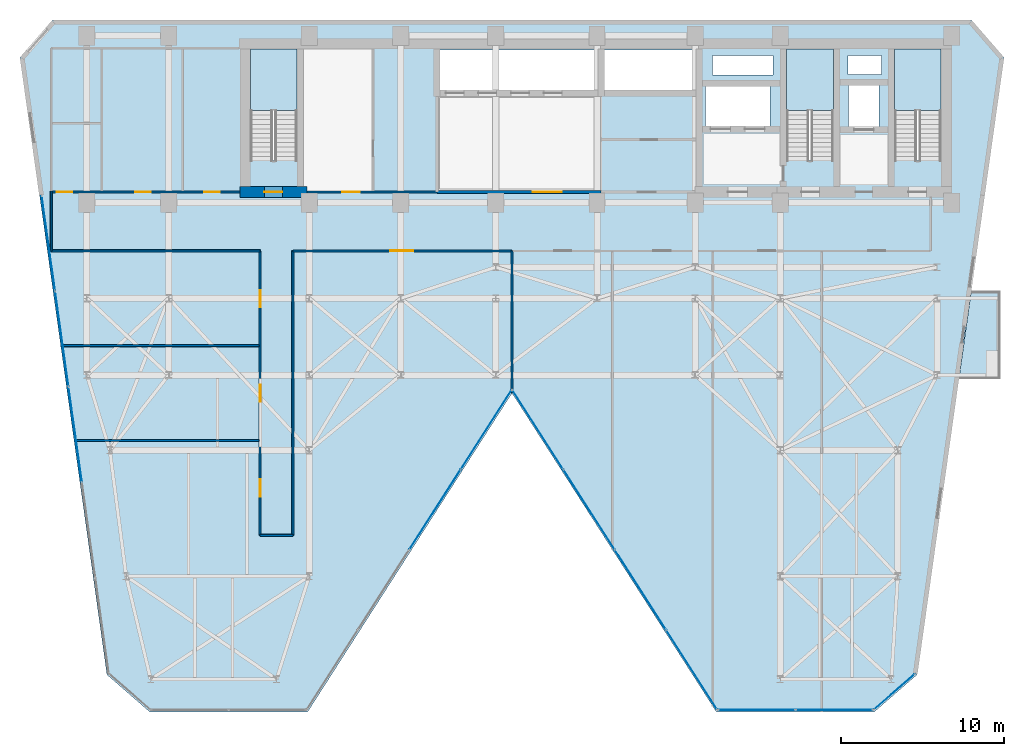
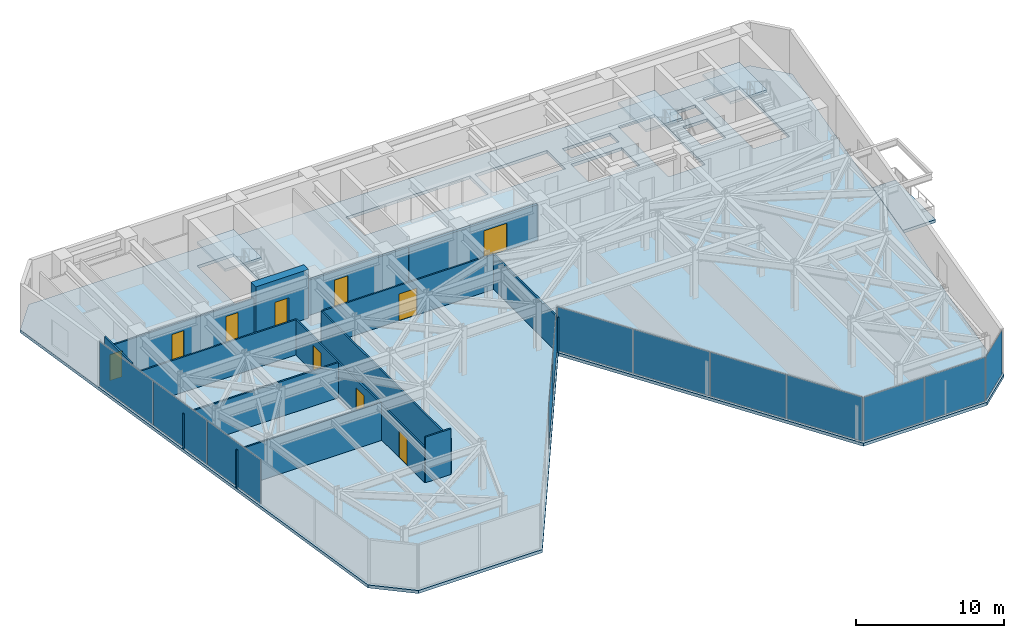
# One storey, part 21 of 26: 13 walls, 12 plates, 10 doors, 5 slabs, 10 openings, 8 elements without a shape of their own.
"""IFC4 building model written with IfcOpenShell, lengths in metres."""

from ifc_helpers import new_model, si_unit, direction, frame, frame_2d, origin, origin_2d, place, context, subcontext, project, spatial, polyline, rectangle, outline, extrude, material, layer, layer_set, type_object, element, fill, aggregate, save


model = new_model("IFC4")

# Units and contexts
model_context = context("Model", 3, precision=1e-05, world=origin(), true_north=direction((0.0, 1.0)))
body_context = subcontext(model_context, "Body", "Model", "MODEL_VIEW")
ifc_project = project(units=[si_unit("LENGTHUNIT", "METRE"), si_unit("AREAUNIT", "SQUARE_METRE"), si_unit("VOLUMEUNIT", "CUBIC_METRE"), si_unit("PLANEANGLEUNIT", "RADIAN"), si_unit("MASSUNIT", "GRAM", prefix="KILO")], contexts=[model_context])

# Site, building, storey
site_placement = place(None, origin())
site = spatial("IfcSite", under=ifc_project, at=site_placement, CompositionType="ELEMENT")
building_placement = place(site_placement, origin())
building = spatial("IfcBuilding", under=site, at=building_placement, Name="Kravanh Interchange Tower", CompositionType="ELEMENT")
storey_placement = place(building_placement, frame((0.0, 0.0, 136.0)))
storey = spatial("IfcBuildingStorey", under=building, at=storey_placement, Name="L32", CompositionType="ELEMENT", Elevation=136.0)

# Slab
ifc_material_1 = material(Name="Concrete C50/60", Category="concrete")
ifc_layer_1 = layer(ifc_material_1, 0.25)
ifc_layer_set_1 = layer_set([ifc_layer_1], Name="Composite Floor Slab Concrete C50/60 250mm")
slab_type_1 = type_object("IfcSlabType", Name="Composite Floor Slab Concrete C50/60 250mm", PredefinedType="FLOOR", material=ifc_layer_set_1)
slab_1_placement = place(storey_placement, frame((0.0, 0.0, -0.25)))
element("IfcSlab", 1, at=slab_1_placement, inside=storey, type_object=slab_type_1, Name="L32 Structural Floor Slab", PredefinedType="FLOOR", context=body_context, shape_type="SweptSolid", body=[
    extrude(outline(polyline([(14.82470703125, 8.4775390625), (17.44482421875, 6.199951171875), (27.10009765625, 6.199951171875), (39.60009765625, 25.699951171875), (52.10009765625, 6.199951171875), (61.755126953125, 6.199951171875), (64.375244140625, 8.4775390625), (69.679931640625, 46.222412109375), (67.699951171875, 48.5), (11.5, 48.5), (9.52001953125, 46.222412109375), (14.82470703125, 8.4775390625)]), holes=[polyline([(65.85009765625, 39.925048828125), (65.85009765625, 46.75), (63.0, 46.75), (63.0, 39.925048828125), (65.85009765625, 39.925048828125)]), polyline([(59.25, 39.925048828125), (59.25, 46.75), (56.39990234375, 46.75), (56.39990234375, 39.925048828125), (59.25, 39.925048828125)]), polyline([(26.449951171875, 39.925048828125), (26.449951171875, 46.75), (23.60009765625, 46.75), (23.60009765625, 39.925048828125), (26.449951171875, 39.925048828125)]), polyline([(35.179931640625, 44.219970703125), (44.840087890625, 44.219970703125), (44.840087890625, 46.699951171875), (35.179931640625, 46.699951171875), (35.179931640625, 44.219970703125)]), polyline([(45.239990234375, 44.219970703125), (50.840087890625, 44.219970703125), (50.840087890625, 46.699951171875), (45.239990234375, 46.699951171875), (45.239990234375, 44.219970703125)]), polyline([(51.419921875, 42.02001953125), (55.3798828125, 42.02001953125), (55.3798828125, 44.47998046875), (51.419921875, 44.47998046875), (51.419921875, 42.02001953125)]), polyline([(60.179931640625, 41.97998046875), (62.06005859375, 41.97998046875), (62.06005859375, 44.52001953125), (60.179931640625, 44.52001953125), (60.179931640625, 41.97998046875)]), polyline([(60.14990234375, 45.199951171875), (62.199951171875, 45.199951171875), (62.199951171875, 46.35009765625), (60.14990234375, 46.35009765625), (60.14990234375, 45.199951171875)]), polyline([(51.85009765625, 45.14990234375), (55.550048828125, 45.14990234375), (55.550048828125, 46.35009765625), (51.85009765625, 46.35009765625), (51.85009765625, 45.14990234375)])]), origin(), (0.0, 0.0, 1.0), 0.25),
])

# Stair, slab
ifc_material_2 = material(Name="Concrete C50/60", Category="concrete")
stair_type = type_object("IfcStairType", Name="Core Fire Exit Dogleg Stair Concrete C50/60", PredefinedType="HALF_TURN_STAIR", material=ifc_material_2)
stair_1_placement = place(storey_placement, origin())
stair_1 = element("IfcStair", 2, at=stair_1_placement, inside=storey, type_object=stair_type, Name="L32 Exit Stair ST1", PredefinedType="HALF_TURN_STAIR")
ifc_material_3 = material(Name="Concrete C50/60", Category="concrete")
ifc_layer_2 = layer(ifc_material_3, 0.199951171875)
ifc_layer_set_2 = layer_set([ifc_layer_2], Name="Concrete C50/60 Stair Half-Landing Slab 200mm")
slab_type_2 = type_object("IfcSlabType", Name="Concrete C50/60 Stair Half-Landing Slab 200mm", PredefinedType="LANDING", material=ifc_layer_set_2)
slab_2_placement = place(storey_placement, frame((0.0, 0.0, 1.800048828125)))
slab_2 = element("IfcSlab", 3, at=slab_2_placement, type_object=slab_type_2, Name="ST1 landing 1", PredefinedType="LANDING", context=body_context, shape_type="SweptSolid", body=[
    extrude(outline(polyline([(65.85009765625, 42.97998046875), (65.85009765625, 46.75), (63.0, 46.75), (63.0, 42.97998046875), (65.85009765625, 42.97998046875)])), origin(), (0.0, 0.0, 1.0), 0.199951171875),
])
aggregate(stair_1, [slab_2])

stair_2_placement = place(storey_placement, origin())
stair_2 = element("IfcStair", 4, at=stair_2_placement, inside=storey, type_object=stair_type, Name="L32 Exit Stair ST2", PredefinedType="HALF_TURN_STAIR")
slab_3_placement = place(storey_placement, frame((0.0, 0.0, 1.800048828125)))
slab_3 = element("IfcSlab", 5, at=slab_3_placement, type_object=slab_type_2, Name="ST2 landing 1", PredefinedType="LANDING", context=body_context, shape_type="SweptSolid", body=[
    extrude(outline(polyline([(59.25, 42.97998046875), (59.25, 46.75), (56.39990234375, 46.75), (56.39990234375, 42.97998046875), (59.25, 42.97998046875)])), origin(), (0.0, 0.0, 1.0), 0.199951171875),
])
aggregate(stair_2, [slab_3])

stair_3_placement = place(storey_placement, origin())
stair_3 = element("IfcStair", 6, at=stair_3_placement, inside=storey, type_object=stair_type, Name="L32 Exit Stair ST3", PredefinedType="HALF_TURN_STAIR")
slab_4_placement = place(storey_placement, frame((0.0, 0.0, 1.800048828125)))
slab_4 = element("IfcSlab", 7, at=slab_4_placement, type_object=slab_type_2, Name="ST3 landing 1", PredefinedType="LANDING", context=body_context, shape_type="SweptSolid", body=[
    extrude(outline(polyline([(26.449951171875, 42.97998046875), (26.449951171875, 46.75), (23.60009765625, 46.75), (23.60009765625, 42.97998046875), (26.449951171875, 42.97998046875)])), origin(), (0.0, 0.0, 1.0), 0.199951171875),
])
aggregate(stair_3, [slab_4])

# Slab
ifc_material_4 = material(Name="Concrete C50/60", Category="concrete")
ifc_layer_3 = layer(ifc_material_4, 0.199951171875)
ifc_layer_set_3 = layer_set([ifc_layer_3], Name="Planted Tree Balcony Slab Concrete C50/60 200mm")
slab_type_3 = type_object("IfcSlabType", Name="Planted Tree Balcony Slab Concrete C50/60 200mm", PredefinedType="USERDEFINED", material=ifc_layer_set_3)
slab_5_placement = place(storey_placement, frame((0.0, 0.0, -0.25)))
element("IfcSlab", 8, at=slab_5_placement, inside=storey, type_object=slab_type_3, Name="L32 East Tree Planter Balcony Slab", ObjectType="BALCONY", PredefinedType="USERDEFINED", context=body_context, shape_type="SweptSolid", body=[
    extrude(outline(polyline([(69.489990234375, 31.949951171875), (69.489990234375, 26.550048828125), (66.930419921875, 26.550048828125), (67.689208984375, 31.949951171875), (69.489990234375, 31.949951171875)])), origin(), (0.0, 0.0, 1.0), 0.25),
])

# Curtain wall, plates
ifc_material_5 = material(Name="Anodised Bronze Aluminium", Category="aluminium")
ifc_layer_4 = layer(ifc_material_5, 0.179931640625)
ifc_layer_set_4 = layer_set([ifc_layer_4], Name="Unitised Curtain Wall System CW-Z2 Mid Office")
curtain_wall_type = type_object("IfcCurtainWallType", Name="Unitised Curtain Wall System CW-Z2 Mid Office", PredefinedType="NOTDEFINED", material=ifc_layer_set_4)
curtain_wall_1_placement = place(storey_placement, origin())
curtain_wall_1 = element("IfcCurtainWall", 9, at=curtain_wall_1_placement, inside=storey, type_object=curtain_wall_type, Name="L32 Unitised Curtain Wall CW-L32-01", PredefinedType="NOTDEFINED")
ifc_material_6 = material(Name="Low-E Laminated Architectural Glass", Category="glass")
ifc_layer_5 = layer(ifc_material_6, 0.02587890625)
ifc_layer_set_5 = layer_set([ifc_layer_5], Name="Solar-Control Double Glazing 26mm")
plate_type = type_object("IfcPlateType", Name="Solar-Control Double Glazing 26mm", PredefinedType="CURTAIN_PANEL", material=ifc_layer_set_5)
plate_1_placement = place(storey_placement, frame((12.881103515625, 23.16943359375, 0.06005859375), z_axis=(0.0, 0.0, 1.0), x_axis=(-0.13917285118, 0.990268103846, 0.0)))
plate_1 = element("IfcPlate", 10, at=plate_1_placement, type_object=plate_type, Name="CW-Z2 panel 3.1", PredefinedType="CURTAIN_PANEL", context=body_context, shape_type="SweptSolid", body=[
    extrude(rectangle(XDim=5.849853515625, YDim=0.02587890625, at=origin_2d()), origin(), (0.0, 0.0, 1.0), 3.6298828125),
])
plate_2_placement = place(storey_placement, frame((12.058837890625, 29.021728515625, 0.06005859375), z_axis=(0.0, 0.0, 1.0), x_axis=(-0.13917285118, 0.990268103846, 0.0)))
plate_2 = element("IfcPlate", 11, at=plate_2_placement, type_object=plate_type, Name="CW-Z2 panel 4.1", PredefinedType="CURTAIN_PANEL", context=body_context, shape_type="SweptSolid", body=[
    extrude(rectangle(XDim=5.849853515625, YDim=0.02587890625, at=origin_2d()), origin(), (0.0, 0.0, 1.0), 3.6298828125),
])
plate_3_placement = place(storey_placement, frame((11.23828125, 34.859130859375, 0.06005859375), z_axis=(0.0, 0.0, 1.0), x_axis=(-0.13917285118, 0.990268103846, 0.0)))
plate_3 = element("IfcPlate", 12, at=plate_3_placement, type_object=plate_type, Name="CW-Z2 panel 5.1", PredefinedType="CURTAIN_PANEL", context=body_context, shape_type="SweptSolid", body=[
    extrude(rectangle(XDim=5.81982421875, YDim=0.02587890625, at=origin_2d()), origin(), (0.0, 0.0, 1.0), 3.6298828125),
])
aggregate(curtain_wall_1, [plate_1, plate_2, plate_3])

# Curtain wall, plate
curtain_wall_2_placement = place(storey_placement, origin())
curtain_wall_2 = element("IfcCurtainWall", 13, at=curtain_wall_2_placement, inside=storey, type_object=curtain_wall_type, Name="L32 Unitised Curtain Wall CW-L32-02", PredefinedType="NOTDEFINED")
plate_4_placement = place(storey_placement, frame((62.986328125, 7.429443359375, 0.06005859375), z_axis=(0.0, 0.0, 1.0), x_axis=(-0.754719458103, -0.656047665617, 0.0)))
plate_4 = element("IfcPlate", 14, at=plate_4_placement, type_object=plate_type, Name="CW-Z2 panel 1.1", PredefinedType="CURTAIN_PANEL", context=body_context, shape_type="SweptSolid", body=[
    extrude(rectangle(XDim=3.261962890625, YDim=0.02587890625, at=origin_2d()), origin(), (0.0, 0.0, 1.0), 3.6298828125),
])
aggregate(curtain_wall_2, [plate_4])

# Curtain wall, plates
curtain_wall_3_placement = place(storey_placement, origin())
curtain_wall_3 = element("IfcCurtainWall", 15, at=curtain_wall_3_placement, inside=storey, type_object=curtain_wall_type, Name="L32 Unitised Curtain Wall CW-L32-03", PredefinedType="NOTDEFINED")
plate_5_placement = place(storey_placement, frame((59.30908203125, 6.320068359375, 0.06005859375), z_axis=(0.0, 0.0, 1.0), x_axis=(-1.0, 0.0, 0.0)))
plate_5 = element("IfcPlate", 16, at=plate_5_placement, type_object=plate_type, Name="CW-Z2 panel 1.1", PredefinedType="CURTAIN_PANEL", context=body_context, shape_type="SweptSolid", body=[
    extrude(rectangle(XDim=4.682373046875, YDim=0.02587890625, at=origin_2d()), origin(), (0.0, 0.0, 1.0), 3.6298828125),
])
plate_6_placement = place(storey_placement, frame((54.566650390625, 6.320068359375, 0.06005859375), z_axis=(0.0, 0.0, 1.0), x_axis=(-1.0, 0.0, 0.0)))
plate_6 = element("IfcPlate", 17, at=plate_6_placement, type_object=plate_type, Name="CW-Z2 panel 2.1", PredefinedType="CURTAIN_PANEL", context=body_context, shape_type="SweptSolid", body=[
    extrude(rectangle(XDim=4.682373046875, YDim=0.02587890625, at=origin_2d()), origin(), (0.0, 0.0, 1.0), 3.6298828125),
])
aggregate(curtain_wall_3, [plate_5, plate_6])

curtain_wall_4_placement = place(storey_placement, origin())
curtain_wall_4 = element("IfcCurtainWall", 18, at=curtain_wall_4_placement, inside=storey, type_object=curtain_wall_type, Name="L32 Unitised Curtain Wall CW-L32-04", PredefinedType="NOTDEFINED")
plate_7_placement = place(storey_placement, frame((50.5869140625, 8.782958984375, 0.06005859375), z_axis=(0.0, 0.0, 1.0), x_axis=(-0.539664865919, 0.841879939476, 0.0)))
plate_7 = element("IfcPlate", 19, at=plate_7_placement, type_object=plate_type, Name="CW-Z2 panel 1.1", PredefinedType="CURTAIN_PANEL", context=body_context, shape_type="SweptSolid", body=[
    extrude(rectangle(XDim=5.73095703125, YDim=0.02587890625, at=origin_2d()), origin(), (0.0, 0.0, 1.0), 3.6298828125),
])
plate_8_placement = place(storey_placement, frame((47.45361328125, 13.6708984375, 0.06005859375), z_axis=(0.0, 0.0, 1.0), x_axis=(-0.539664865919, 0.841879939476, 0.0)))
plate_8 = element("IfcPlate", 20, at=plate_8_placement, type_object=plate_type, Name="CW-Z2 panel 2.1", PredefinedType="CURTAIN_PANEL", context=body_context, shape_type="SweptSolid", body=[
    extrude(rectangle(XDim=5.760986328125, YDim=0.02587890625, at=origin_2d()), origin(), (0.0, 0.0, 1.0), 3.6298828125),
])
plate_9_placement = place(storey_placement, frame((44.31201171875, 18.571533203125, 0.06005859375), z_axis=(0.0, 0.0, 1.0), x_axis=(-0.539664865919, 0.841879939476, 0.0)))
plate_9 = element("IfcPlate", 21, at=plate_9_placement, type_object=plate_type, Name="CW-Z2 panel 3.1", PredefinedType="CURTAIN_PANEL", context=body_context, shape_type="SweptSolid", body=[
    extrude(rectangle(XDim=5.760986328125, YDim=0.02587890625, at=origin_2d()), origin(), (0.0, 0.0, 1.0), 3.6298828125),
])
plate_10_placement = place(storey_placement, frame((41.1787109375, 23.45947265625, 0.06005859375), z_axis=(0.0, 0.0, 1.0), x_axis=(-0.539664865919, 0.841879939476, 0.0)))
plate_10 = element("IfcPlate", 22, at=plate_10_placement, type_object=plate_type, Name="CW-Z2 panel 4.1", PredefinedType="CURTAIN_PANEL", context=body_context, shape_type="SweptSolid", body=[
    extrude(rectangle(XDim=5.73095703125, YDim=0.02587890625, at=origin_2d()), origin(), (0.0, 0.0, 1.0), 3.6298828125),
])
aggregate(curtain_wall_4, [plate_7, plate_8, plate_9, plate_10])

curtain_wall_5_placement = place(storey_placement, origin())
curtain_wall_5 = element("IfcCurtainWall", 23, at=curtain_wall_5_placement, inside=storey, type_object=curtain_wall_type, Name="L32 Unitised Curtain Wall CW-L32-05", PredefinedType="NOTDEFINED")
plate_11_placement = place(storey_placement, frame((38.021240234375, 23.45947265625, 0.06005859375), z_axis=(0.0, 0.0, 1.0), x_axis=(-0.539664865919, -0.841879939476, 0.0)))
plate_11 = element("IfcPlate", 24, at=plate_11_placement, type_object=plate_type, Name="CW-Z2 panel 1.1", PredefinedType="CURTAIN_PANEL", context=body_context, shape_type="SweptSolid", body=[
    extrude(rectangle(XDim=5.73095703125, YDim=0.02587890625, at=origin_2d()), origin(), (0.0, 0.0, 1.0), 3.6298828125),
])
plate_12_placement = place(storey_placement, frame((34.887939453125, 18.571533203125, 0.06005859375), z_axis=(0.0, 0.0, 1.0), x_axis=(-0.539664865919, -0.841879939476, 0.0)))
plate_12 = element("IfcPlate", 25, at=plate_12_placement, type_object=plate_type, Name="CW-Z2 panel 2.1", PredefinedType="CURTAIN_PANEL", context=body_context, shape_type="SweptSolid", body=[
    extrude(rectangle(XDim=5.760986328125, YDim=0.02587890625, at=origin_2d()), origin(), (0.0, 0.0, 1.0), 3.6298828125),
])
aggregate(curtain_wall_5, [plate_11, plate_12])

# Wall, openings, doors
ifc_material_7 = material(Name="Double Acoustic Gypsum Board and Mineral Wool")
ifc_layer_6 = layer(ifc_material_7, 0.1201171875)
ifc_layer_set_6 = layer_set([ifc_layer_6], Name="Acoustic Office Drywall Partition 120mm")
wall_type_1 = type_object("IfcWallType", Name="Acoustic Office Drywall Partition 120mm", PredefinedType="PARTITIONING", material=ifc_layer_set_6)
wall_1_placement = place(storey_placement, frame((11.419921875, 38.0, 0.0), z_axis=(0.0, 0.0, 1.0), x_axis=(1.0, 0.0, 0.0)))
wall_1 = element("IfcWall", 26, at=wall_1_placement, inside=storey, type_object=wall_type_1, Name="L32 Restroom Corridor Wall 7", PredefinedType="PARTITIONING", context=body_context, shape_type="SweptSolid", body=[
    extrude(rectangle(XDim=11.530029296875, YDim=0.1201171875, at=frame_2d((5.76513671875, 0.0))), origin(), (0.0, 0.0, 1.0), 2.89404296875),
])
opening_1_placement = place(wall_1_placement, frame((0.3427734375, 0.0, 0.0)))
opening_1 = element("IfcOpeningElement", 27, at=opening_1_placement, cuts=wall_1, Name="Opening D-95", PredefinedType="OPENING", context=body_context, shape_type="SweptSolid", body=[
    extrude(rectangle(XDim=0.949951171875, YDim=2.14990234375, at=frame_2d((0.47509765625, 1.074951171875))), frame((0.0, 0.070068359375, 0.0), z_axis=(0.0, -1.0, 0.0), x_axis=(1.0, 0.0, 0.0)), (0.0, 0.0, 1.0), 0.14013671875),
])
opening_2_placement = place(wall_1_placement, frame((5.130126953125, 0.0, 0.0)))
opening_2 = element("IfcOpeningElement", 28, at=opening_2_placement, cuts=wall_1, Name="Opening D-95", PredefinedType="OPENING", context=body_context, shape_type="SweptSolid", body=[
    extrude(rectangle(XDim=0.949951171875, YDim=2.14990234375, at=frame_2d((0.47509765625, 1.074951171875))), frame((0.0, 0.070068359375, 0.0), z_axis=(0.0, -1.0, 0.0), x_axis=(1.0, 0.0, 0.0)), (0.0, 0.0, 1.0), 0.14013671875),
])
opening_3_placement = place(wall_1_placement, frame((9.344970703125, 0.0, 0.0)))
opening_3 = element("IfcOpeningElement", 29, at=opening_3_placement, cuts=wall_1, Name="Opening D-95", PredefinedType="OPENING", context=body_context, shape_type="SweptSolid", body=[
    extrude(rectangle(XDim=0.949951171875, YDim=2.14990234375, at=frame_2d((0.47509765625, 1.074951171875))), frame((0.0, 0.070068359375, 0.0), z_axis=(0.0, -1.0, 0.0), x_axis=(1.0, 0.0, 0.0)), (0.0, 0.0, 1.0), 0.14013671875),
])
ifc_material_8 = material(Name="Laminate Solid-Core Timber", Category="wood")
door_type_1 = type_object("IfcDoorType", Name="Accessible Restroom Door 950x2150", OperationType="NOTDEFINED", PredefinedType="DOOR", material=ifc_material_8)
door_1_placement = place(opening_1_placement, origin())
door_1 = element("IfcDoor", 30, at=door_1_placement, inside=storey, type_object=door_type_1, Name="L32 Accessible WC Door", OperationType="SINGLE_SWING_RIGHT", OverallHeight=2.14990234375, OverallWidth=0.949951171875, PredefinedType="DOOR", context=body_context, shape_type="SweptSolid", body=[
    extrude(rectangle(XDim=0.949951171875, YDim=2.14990234375, at=frame_2d((0.47509765625, 1.074951171875))), frame((0.0, 0.02490234375, 0.0), z_axis=(0.0, -1.0, 0.0), x_axis=(1.0, 0.0, 0.0)), (0.0, 0.0, 1.0), 0.050048828125),
])
fill(opening_1, door_1)
door_2_placement = place(opening_2_placement, origin())
door_2 = element("IfcDoor", 31, at=door_2_placement, inside=storey, type_object=door_type_1, Name="L32 Female WC Door", OperationType="SINGLE_SWING_LEFT", OverallHeight=2.14990234375, OverallWidth=0.949951171875, PredefinedType="DOOR", context=body_context, shape_type="SweptSolid", body=[
    extrude(rectangle(XDim=0.949951171875, YDim=2.14990234375, at=frame_2d((0.47509765625, 1.074951171875))), frame((0.0, 0.02490234375, 0.0), z_axis=(0.0, -1.0, 0.0), x_axis=(1.0, 0.0, 0.0)), (0.0, 0.0, 1.0), 0.050048828125),
])
fill(opening_2, door_2)
door_3_placement = place(opening_3_placement, origin())
door_3 = element("IfcDoor", 32, at=door_3_placement, inside=storey, type_object=door_type_1, Name="L32 Male WC Door", OperationType="SINGLE_SWING_RIGHT", OverallHeight=2.14990234375, OverallWidth=0.949951171875, PredefinedType="DOOR", context=body_context, shape_type="SweptSolid", body=[
    extrude(rectangle(XDim=0.949951171875, YDim=2.14990234375, at=frame_2d((0.47509765625, 1.074951171875))), frame((0.0, 0.02490234375, 0.0), z_axis=(0.0, -1.0, 0.0), x_axis=(1.0, 0.0, 0.0)), (0.0, 0.0, 1.0), 0.050048828125),
])
fill(opening_3, door_3)

# Wall
wall_2_placement = place(storey_placement, frame((11.419921875, 34.39990234375, 0.0), z_axis=(0.0, 0.0, 1.0), x_axis=(1.0, 0.0, 0.0)))
element("IfcWall", 33, at=wall_2_placement, inside=storey, type_object=wall_type_1, Name="L32 Interior Partition 13", PredefinedType="PARTITIONING", context=body_context, shape_type="SweptSolid", body=[
    extrude(rectangle(XDim=12.780029296875, YDim=0.1201171875, at=frame_2d((6.39013671875, 0.0))), origin(), (0.0, 0.0, 1.0), 2.89404296875),
])

# Wall, opening, door
wall_3_placement = place(storey_placement, frame((26.199951171875, 34.39990234375, 0.0), z_axis=(0.0, 0.0, 1.0), x_axis=(1.0, 0.0, 0.0)))
wall_3 = element("IfcWall", 34, at=wall_3_placement, inside=storey, type_object=wall_type_1, Name="L32 Interior Partition 14", PredefinedType="PARTITIONING", context=body_context, shape_type="SweptSolid", body=[
    extrude(rectangle(XDim=13.400146484375, YDim=0.1201171875, at=frame_2d((6.7001953125, 0.0))), origin(), (0.0, 0.0, 1.0), 2.89404296875),
])
opening_4_placement = place(wall_3_placement, frame((5.959716796875, 0.0, 0.0)))
opening_4 = element("IfcOpeningElement", 35, at=opening_4_placement, cuts=wall_3, Name="Opening DBL-140", PredefinedType="OPENING", context=body_context, shape_type="SweptSolid", body=[
    extrude(rectangle(XDim=1.39990234375, YDim=2.199951171875, at=frame_2d((0.699951171875, 1.10009765625))), frame((0.0, 0.070068359375, 0.0), z_axis=(0.0, -1.0, 0.0), x_axis=(1.0, 0.0, 0.0)), (0.0, 0.0, 1.0), 0.14013671875),
])
ifc_material_9 = material(Name="Acoustic Bronze-Framed Glass", Category="glass")
door_type_2 = type_object("IfcDoorType", Name="Hospitality Lounge Double Door 1400x2200", OperationType="DOUBLE_DOOR_SINGLE_SWING", PredefinedType="DOOR", material=ifc_material_9)
door_4_placement = place(opening_4_placement, origin())
door_4 = element("IfcDoor", 36, at=door_4_placement, inside=storey, type_object=door_type_2, Name="L32 Central Townhall Commons Lounge Door", OperationType="DOUBLE_DOOR_SINGLE_SWING", OverallHeight=2.199951171875, OverallWidth=1.39990234375, PredefinedType="DOOR", context=body_context, shape_type="SweptSolid", body=[
    extrude(rectangle(XDim=1.39990234375, YDim=2.199951171875, at=frame_2d((0.699951171875, 1.10009765625))), frame((0.0, 0.02490234375, 0.0), z_axis=(0.0, -1.0, 0.0), x_axis=(1.0, 0.0, 0.0)), (0.0, 0.0, 1.0), 0.050048828125),
])
fill(opening_4, door_4)

# Wall
wall_4_placement = place(storey_placement, frame((11.419921875, 34.39990234375, 0.0), z_axis=(0.0, 0.0, 1.0), x_axis=(0.0, 1.0, 0.0)))
element("IfcWall", 37, at=wall_4_placement, inside=storey, type_object=wall_type_1, Name="L32 Interior Partition 16", PredefinedType="PARTITIONING", context=body_context, shape_type="SweptSolid", body=[
    extrude(rectangle(XDim=3.650146484375, YDim=0.1201171875, at=frame_2d((1.8251953125, 0.0))), origin(), (0.0, 0.0, 1.0), 3.75),
])

# Wall, openings, doors
wall_5_placement = place(storey_placement, frame((24.199951171875, 17.0, 0.0), z_axis=(0.0, 0.0, 1.0), x_axis=(0.0, 1.0, 0.0)))
wall_5 = element("IfcWall", 38, at=wall_5_placement, inside=storey, type_object=wall_type_1, Name="L32 Interior Partition 18", PredefinedType="PARTITIONING", context=body_context, shape_type="SweptSolid", body=[
    extrude(rectangle(XDim=17.39990234375, YDim=0.1201171875, at=frame_2d((8.699951171875, 0.0))), origin(), (0.0, 0.0, 1.0), 2.89404296875),
])
opening_5_placement = place(wall_5_placement, frame((2.375, 0.0, 0.0)))
opening_5 = element("IfcOpeningElement", 39, at=opening_5_placement, cuts=wall_5, Name="Opening D-105", PredefinedType="OPENING", context=body_context, shape_type="SweptSolid", body=[
    extrude(rectangle(XDim=1.050048828125, YDim=2.199951171875, at=frame_2d((0.52490234375, 1.10009765625))), frame((0.0, 0.070068359375, 0.0), z_axis=(0.0, -1.0, 0.0), x_axis=(1.0, 0.0, 0.0)), (0.0, 0.0, 1.0), 0.14013671875),
])
opening_6_placement = place(wall_5_placement, frame((8.175048828125, 0.0, 0.0)))
opening_6 = element("IfcOpeningElement", 40, at=opening_6_placement, cuts=wall_5, Name="Opening D-105", PredefinedType="OPENING", context=body_context, shape_type="SweptSolid", body=[
    extrude(rectangle(XDim=1.050048828125, YDim=2.199951171875, at=frame_2d((0.52490234375, 1.10009765625))), frame((0.0, 0.070068359375, 0.0), z_axis=(0.0, -1.0, 0.0), x_axis=(1.0, 0.0, 0.0)), (0.0, 0.0, 1.0), 0.14013671875),
])
opening_7_placement = place(wall_5_placement, frame((13.949951171875, 0.0, 0.0)))
opening_7 = element("IfcOpeningElement", 41, at=opening_7_placement, cuts=wall_5, Name="Opening D-105", PredefinedType="OPENING", context=body_context, shape_type="SweptSolid", body=[
    extrude(rectangle(XDim=1.050048828125, YDim=2.199951171875, at=frame_2d((0.52490234375, 1.10009765625))), frame((0.0, 0.070068359375, 0.0), z_axis=(0.0, -1.0, 0.0), x_axis=(1.0, 0.0, 0.0)), (0.0, 0.0, 1.0), 0.14013671875),
])
ifc_material_10 = material(Name="Acoustic Glazed Oak and Aluminium", Category="aluminium")
door_type_3 = type_object("IfcDoorType", Name="Office Workplace Door 1050x2200", OperationType="NOTDEFINED", PredefinedType="DOOR", material=ifc_material_10)
door_5_placement = place(opening_5_placement, origin())
door_5 = element("IfcDoor", 42, at=door_5_placement, inside=storey, type_object=door_type_3, Name="L32 SW Partner Office D Door", OperationType="SINGLE_SWING_LEFT", OverallHeight=2.199951171875, OverallWidth=1.050048828125, PredefinedType="DOOR", context=body_context, shape_type="SweptSolid", body=[
    extrude(rectangle(XDim=1.050048828125, YDim=2.199951171875, at=frame_2d((0.52490234375, 1.10009765625))), frame((0.0, 0.02490234375, 0.0), z_axis=(0.0, -1.0, 0.0), x_axis=(1.0, 0.0, 0.0)), (0.0, 0.0, 1.0), 0.050048828125),
])
fill(opening_5, door_5)
door_6_placement = place(opening_6_placement, origin())
door_6 = element("IfcDoor", 43, at=door_6_placement, inside=storey, type_object=door_type_3, Name="L32 West Breakout Lounge Door", OperationType="SINGLE_SWING_RIGHT", OverallHeight=2.199951171875, OverallWidth=1.050048828125, PredefinedType="DOOR", context=body_context, shape_type="SweptSolid", body=[
    extrude(rectangle(XDim=1.050048828125, YDim=2.199951171875, at=frame_2d((0.52490234375, 1.10009765625))), frame((0.0, 0.02490234375, 0.0), z_axis=(0.0, -1.0, 0.0), x_axis=(1.0, 0.0, 0.0)), (0.0, 0.0, 1.0), 0.050048828125),
])
fill(opening_6, door_6)
door_7_placement = place(opening_7_placement, origin())
door_7 = element("IfcDoor", 44, at=door_7_placement, inside=storey, type_object=door_type_3, Name="L32 Tea Kitchenette Door", OperationType="SINGLE_SWING_LEFT", OverallHeight=2.199951171875, OverallWidth=1.050048828125, PredefinedType="DOOR", context=body_context, shape_type="SweptSolid", body=[
    extrude(rectangle(XDim=1.050048828125, YDim=2.199951171875, at=frame_2d((0.52490234375, 1.10009765625))), frame((0.0, 0.02490234375, 0.0), z_axis=(0.0, -1.0, 0.0), x_axis=(1.0, 0.0, 0.0)), (0.0, 0.0, 1.0), 0.050048828125),
])
fill(opening_7, door_7)

# Walls
wall_6_placement = place(storey_placement, frame((26.199951171875, 17.0, 0.0), z_axis=(0.0, 0.0, 1.0), x_axis=(0.0, 1.0, 0.0)))
element("IfcWall", 45, at=wall_6_placement, inside=storey, type_object=wall_type_1, Name="L32 Interior Partition 19", PredefinedType="PARTITIONING", context=body_context, shape_type="SweptSolid", body=[
    extrude(rectangle(XDim=17.39990234375, YDim=0.1201171875, at=frame_2d((8.699951171875, 0.0))), origin(), (0.0, 0.0, 1.0), 2.89404296875),
])
wall_7_placement = place(storey_placement, frame((24.199951171875, 17.0, 0.0), z_axis=(0.0, 0.0, 1.0), x_axis=(1.0, 0.0, 0.0)))
element("IfcWall", 46, at=wall_7_placement, inside=storey, type_object=wall_type_1, Name="L32 Interior Partition 20", PredefinedType="PARTITIONING", context=body_context, shape_type="SweptSolid", body=[
    extrude(rectangle(XDim=2.0, YDim=0.1201171875, at=frame_2d((1.0, 0.0))), origin(), (0.0, 0.0, 1.0), 3.75),
])
wall_8_placement = place(storey_placement, frame((12.8271484375, 22.800048828125, 0.0), z_axis=(0.0, 0.0, 1.0), x_axis=(1.0, 0.0, 0.0)))
element("IfcWall", 47, at=wall_8_placement, inside=storey, type_object=wall_type_1, Name="L32 Interior Partition 21", PredefinedType="PARTITIONING", context=body_context, shape_type="SweptSolid", body=[
    extrude(rectangle(XDim=11.304931640625, YDim=0.1201171875, at=frame_2d((5.65234375, 0.0))), origin(), (0.0, 0.0, 1.0), 3.14208984375),
])
wall_9_placement = place(storey_placement, frame((12.011962890625, 28.60009765625, 0.0), z_axis=(0.0, 0.0, 1.0), x_axis=(1.0, 0.0, 0.0)))
element("IfcWall", 48, at=wall_9_placement, inside=storey, type_object=wall_type_1, Name="L32 Interior Partition 22", PredefinedType="PARTITIONING", context=body_context, shape_type="SweptSolid", body=[
    extrude(rectangle(XDim=12.1201171875, YDim=0.1201171875, at=frame_2d((6.06005859375, 0.0))), origin(), (0.0, 0.0, 1.0), 2.89404296875),
])
wall_10_placement = place(storey_placement, frame((39.60009765625, 25.727783203125, 0.0), z_axis=(0.0, 0.0, 1.0), x_axis=(0.0, 1.0, 0.0)))
element("IfcWall", 49, at=wall_10_placement, inside=storey, type_object=wall_type_1, Name="L32 Interior Partition 23", PredefinedType="PARTITIONING", context=body_context, shape_type="SweptSolid", body=[
    extrude(rectangle(XDim=8.672119140625, YDim=0.1201171875, at=frame_2d((4.3359375, 0.0))), origin(), (0.0, 0.0, 1.0), 2.89404296875),
])

# Wall, opening, door
ifc_material_11 = material(Name="Concrete C70/85", Category="concrete")
ifc_layer_7 = layer(ifc_material_11, 0.64990234375)
ifc_layer_set_7 = layer_set([ifc_layer_7], Name="Core Shear Wall Concrete C70/85 650mm")
wall_type_2 = type_object("IfcWallType", Name="Core Shear Wall Concrete C70/85 650mm", PredefinedType="SHEAR", material=ifc_layer_set_7)
wall_11_placement = place(storey_placement, frame((22.949951171875, 38.0, 0.0), z_axis=(0.0, 0.0, 1.0), x_axis=(1.0, 0.0, 0.0)))
wall_11 = element("IfcWall", 50, at=wall_11_placement, inside=storey, type_object=wall_type_2, Name="L32 Stair ST3 South Shear Wall", PredefinedType="SHEAR", context=body_context, shape_type="SweptSolid", body=[
    extrude(rectangle(XDim=4.10009765625, YDim=0.64990234375, at=frame_2d((2.050048828125, 0.0))), origin(), (0.0, 0.0, 1.0), 4.0),
])
opening_8_placement = place(wall_11_placement, frame((1.5, 0.0, 0.0)))
opening_8 = element("IfcOpeningElement", 51, at=opening_8_placement, cuts=wall_11, Name="Opening D-STAIR-110", PredefinedType="OPENING", context=body_context, shape_type="SweptSolid", body=[
    extrude(rectangle(XDim=1.10009765625, YDim=2.199951171875, at=frame_2d((0.550048828125, 1.10009765625))), frame((0.0, 0.3349609375, 0.0), z_axis=(0.0, -1.0, 0.0), x_axis=(1.0, 0.0, 0.0)), (0.0, 0.0, 1.0), 0.669921875),
])
ifc_material_12 = material(Name="Structural Steel S355", Category="steel")
door_type_4 = type_object("IfcDoorType", Name="Fire-Rated Exit Stair Door 1100x2200", OperationType="NOTDEFINED", PredefinedType="DOOR", material=ifc_material_12)
door_8_placement = place(opening_8_placement, origin())
door_8 = element("IfcDoor", 52, at=door_8_placement, inside=storey, type_object=door_type_4, Name="L32 Exit Stair ST3 Door", OperationType="SINGLE_SWING_RIGHT", OverallHeight=2.199951171875, OverallWidth=1.10009765625, PredefinedType="DOOR", context=body_context, shape_type="SweptSolid", body=[
    extrude(rectangle(XDim=1.10009765625, YDim=2.199951171875, at=frame_2d((0.550048828125, 1.10009765625))), frame((0.0, 0.02490234375, 0.0), z_axis=(0.0, -1.0, 0.0), x_axis=(1.0, 0.0, 0.0)), (0.0, 0.0, 1.0), 0.050048828125),
])
fill(opening_8, door_8)

ifc_material_13 = material(Name="Autoclaved Aerated Concrete C30/37 Blockwork", Category="masonry")
ifc_layer_8 = layer(ifc_material_13, 0.179931640625)
ifc_layer_set_8 = layer_set([ifc_layer_8], Name="Fire-Rated Lobby and Corridor Wall Concrete C30/37 180mm")
wall_type_3 = type_object("IfcWallType", Name="Fire-Rated Lobby and Corridor Wall Concrete C30/37 180mm", PredefinedType="STANDARD", material=ifc_layer_set_8)
wall_12_placement = place(storey_placement, frame((35.0, 38.0, 0.0), z_axis=(0.0, 0.0, 1.0), x_axis=(1.0, 0.0, 0.0)))
wall_12 = element("IfcWall", 53, at=wall_12_placement, inside=storey, type_object=wall_type_3, Name="L32 Interior Partition 6", PredefinedType="STANDARD", context=body_context, shape_type="SweptSolid", body=[
    extrude(rectangle(XDim=10.050048828125, YDim=0.179931640625, at=frame_2d((5.02490234375, 0.0))), origin(), (0.0, 0.0, 1.0), 2.89404296875),
])
opening_9_placement = place(wall_12_placement, frame((5.85791015625, 0.0, 0.0)))
opening_9 = element("IfcOpeningElement", 54, at=opening_9_placement, cuts=wall_12, Name="Opening DBL-180", PredefinedType="OPENING", context=body_context, shape_type="SweptSolid", body=[
    extrude(rectangle(XDim=1.800048828125, YDim=2.199951171875, at=frame_2d((0.89990234375, 1.10009765625))), frame((0.0, 0.10009765625, 0.0), z_axis=(0.0, -1.0, 0.0), x_axis=(1.0, 0.0, 0.0)), (0.0, 0.0, 1.0), 0.199951171875),
])
ifc_material_14 = material(Name="Structural Steel S355", Category="steel")
door_type_5 = type_object("IfcDoorType", Name="Lift Lobby Double Fire Door 1800x2200", OperationType="DOUBLE_DOOR_SINGLE_SWING", PredefinedType="DOOR", material=ifc_material_14)
door_9_placement = place(opening_9_placement, origin())
door_9 = element("IfcDoor", 55, at=door_9_placement, inside=storey, type_object=door_type_5, Name="L32 Mid-Rise Lift Lobby Door", OperationType="DOUBLE_DOOR_SINGLE_SWING", OverallHeight=2.199951171875, OverallWidth=1.800048828125, PredefinedType="DOOR", context=body_context, shape_type="SweptSolid", body=[
    extrude(rectangle(XDim=1.800048828125, YDim=2.199951171875, at=frame_2d((0.89990234375, 1.10009765625))), frame((0.0, 0.02490234375, 0.0), z_axis=(0.0, -1.0, 0.0), x_axis=(1.0, 0.0, 0.0)), (0.0, 0.0, 1.0), 0.050048828125),
])
fill(opening_9, door_9)

ifc_material_15 = material(Name="Twin Stud Acoustic Gypsum Board Wall")
ifc_layer_9 = layer(ifc_material_15, 0.14990234375)
ifc_layer_set_9 = layer_set([ifc_layer_9], Name="Medium-Duty Acoustic Partition 150mm")
wall_type_4 = type_object("IfcWallType", Name="Medium-Duty Acoustic Partition 150mm", PredefinedType="PARTITIONING", material=ifc_layer_set_9)
wall_13_placement = place(storey_placement, frame((27.050048828125, 38.0, 0.0), z_axis=(0.0, 0.0, 1.0), x_axis=(1.0, 0.0, 0.0)))
wall_13 = element("IfcWall", 56, at=wall_13_placement, inside=storey, type_object=wall_type_4, Name="L32 Interior Partition 3", PredefinedType="PARTITIONING", context=body_context, shape_type="SweptSolid", body=[
    extrude(rectangle(XDim=7.949951171875, YDim=0.14990234375, at=frame_2d((3.97509765625, 0.0))), origin(), (0.0, 0.0, 1.0), 2.89404296875),
])
opening_10_placement = place(wall_13_placement, frame((2.175048828125, 0.0, 0.0)))
opening_10 = element("IfcOpeningElement", 57, at=opening_10_placement, cuts=wall_13, Name="Opening D-105", PredefinedType="OPENING", context=body_context, shape_type="SweptSolid", body=[
    extrude(rectangle(XDim=1.050048828125, YDim=2.199951171875, at=frame_2d((0.52490234375, 1.10009765625))), frame((0.0, 0.0849609375, 0.0), z_axis=(0.0, -1.0, 0.0), x_axis=(1.0, 0.0, 0.0)), (0.0, 0.0, 1.0), 0.169921875),
])
door_10_placement = place(opening_10_placement, origin())
door_10 = element("IfcDoor", 58, at=door_10_placement, inside=storey, type_object=door_type_3, Name="L32 Reclaimed IT Hub Door", OperationType="SINGLE_SWING_RIGHT", OverallHeight=2.199951171875, OverallWidth=1.050048828125, PredefinedType="DOOR", context=body_context, shape_type="SweptSolid", body=[
    extrude(rectangle(XDim=1.050048828125, YDim=2.199951171875, at=frame_2d((0.52490234375, 1.10009765625))), frame((0.0, 0.02490234375, 0.0), z_axis=(0.0, -1.0, 0.0), x_axis=(1.0, 0.0, 0.0)), (0.0, 0.0, 1.0), 0.050048828125),
])
fill(opening_10, door_10)

save(model, "model.ifc")
